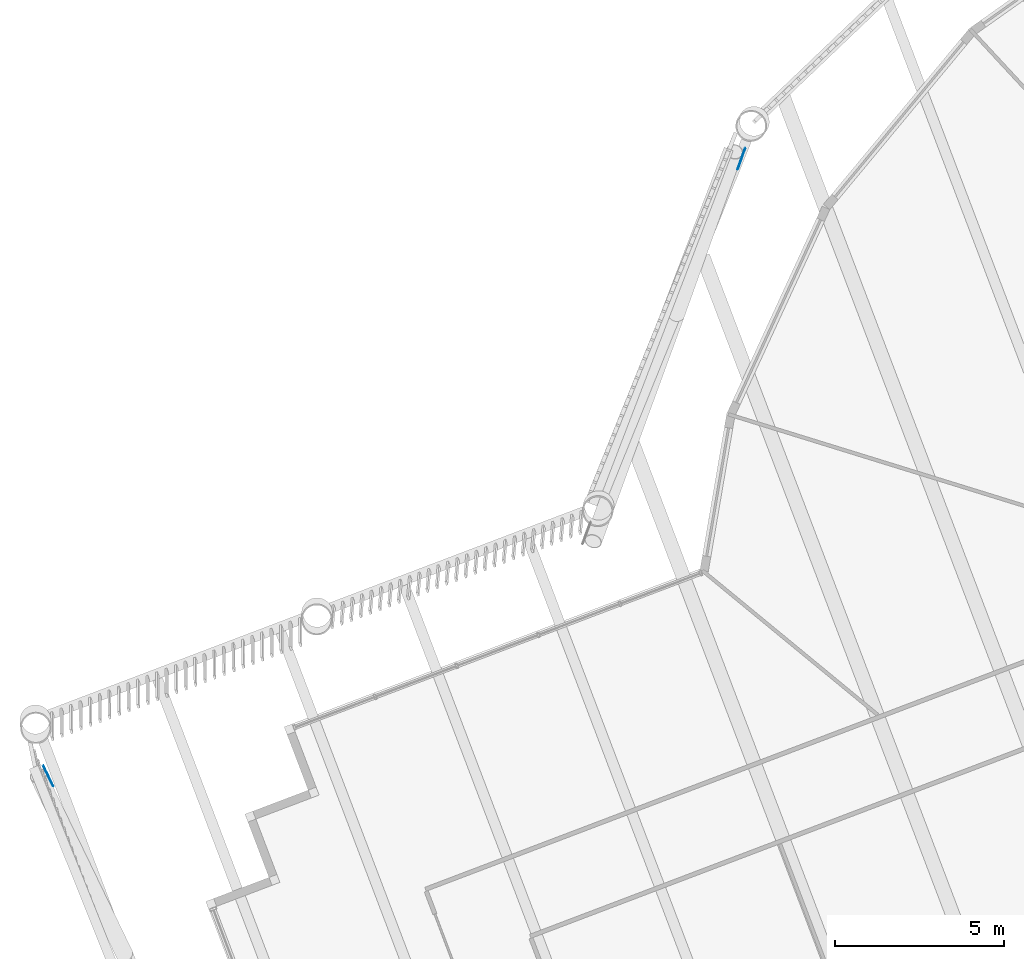
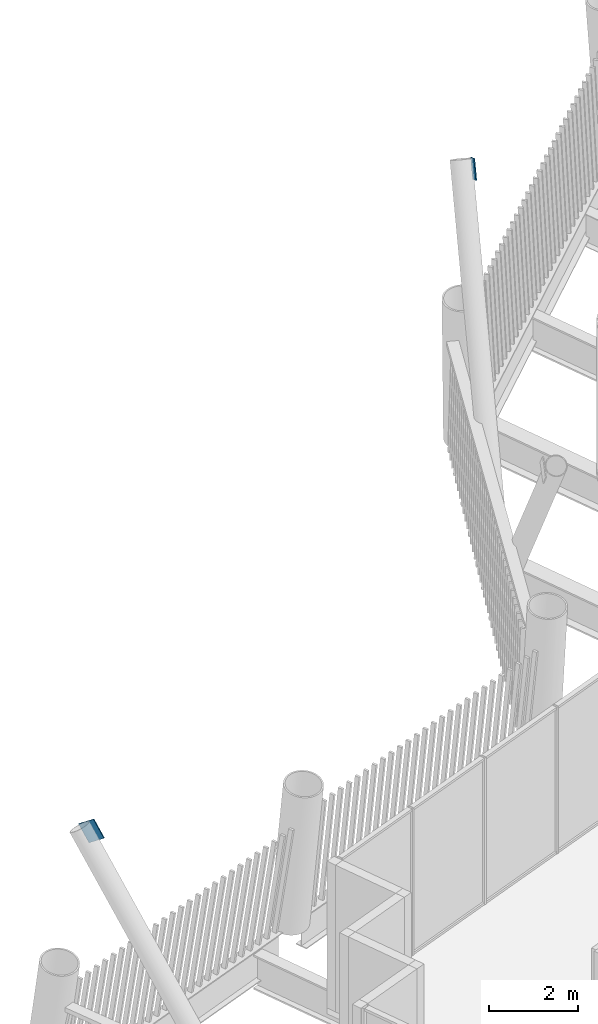
# One storey, part 24 of 33: 2 discrete accessories.
"""IFC4 building model written with IfcOpenShell, lengths in metres."""

import ifcopenshell
import ifcopenshell.guid

model = None  # the IFC model being written
_history = None  # IfcOwnerHistory: only IFC2X3 demands one
_inside = {}  # id of a spatial element -> (the spatial element, [elements in it])
_under = {}  # id of a project, library or spatial element -> (it, [spatial elements below it])
_declared = {}  # id of a project -> (the project, [libraries it declares])
_typed = {}  # id of a type object -> (the type object, [elements of that type])
_made_of = {}  # id of a material, layer set ... -> (it, [elements and type objects made of it])


def new_model(schema):
    """Start an empty IFC model of exactly this schema.

    Asked for "IFC4X3", IfcOpenShell would pick the latest addendum, in which some entities
    have other attributes; the version numbers below select the first issue.
    IFC2X3 requires an IfcOwnerHistory on every rooted entity: one is made here for all.
    """
    global model, _history
    if schema == "IFC4X3":
        model = ifcopenshell.file(schema_version=(4, 3, 0, 0))
    else:
        model = ifcopenshell.file(schema=schema)
    _inside.clear()
    _under.clear()
    _declared.clear()
    _typed.clear()
    _made_of.clear()
    _history = None
    if model.schema == "IFC2X3":
        org = make("IfcOrganization", Name="unknown")
        user = make(
            "IfcPersonAndOrganization",
            ThePerson=make("IfcPerson", FamilyName="unknown"),
            TheOrganization=org,
        )
        app = make(
            "IfcApplication",
            ApplicationDeveloper=org,
            Version="unknown",
            ApplicationFullName="unknown",
            ApplicationIdentifier="unknown",
        )
        _history = make(
            "IfcOwnerHistory",
            OwningUser=user,
            OwningApplication=app,
            ChangeAction="ADDED",
            CreationDate=0,
        )
    return model


def make(cls, **values):
    """One entity of the class cls with the attributes given. An attribute that is None is left unset."""
    return model.create_entity(
        cls, **{name: value for name, value in values.items() if value is not None}
    )


def rooted(cls, **values):
    """An entity with a GlobalId (a new one), such as an element, a storey or a relation."""
    return make(cls, GlobalId=ifcopenshell.guid.new(), OwnerHistory=_history, **values)


def si_unit(unit_type, name, prefix=None):
    """IfcSIUnit, for example si_unit("LENGTHUNIT", "METRE", prefix="MILLI")."""
    return make("IfcSIUnit", UnitType=unit_type, Prefix=prefix, Name=name)


def assignment(units):
    """IfcUnitAssignment: the units of a project."""
    return None if units is None else make("IfcUnitAssignment", Units=units)


def point(xyz):
    """IfcCartesianPoint."""
    return None if xyz is None else make("IfcCartesianPoint", Coordinates=xyz)


def direction(xyz):
    """IfcDirection."""
    return None if xyz is None else make("IfcDirection", DirectionRatios=xyz)


def frame(location, z_axis=None, x_axis=None):
    """IfcAxis2Placement3D, a coordinate frame: its origin and axes. An axis left out is left unset."""
    return make(
        "IfcAxis2Placement3D",
        Location=point(location),
        Axis=direction(z_axis),
        RefDirection=direction(x_axis),
    )


def frame_2d(location, x_axis=None):
    """IfcAxis2Placement2D, a coordinate frame in the plane: its origin and x axis."""
    return make(
        "IfcAxis2Placement2D", Location=point(location), RefDirection=direction(x_axis)
    )


def origin():
    """The frame at (0, 0, 0) with its axes left unset."""
    return frame((0.0, 0.0, 0.0))


def origin_2d():
    """The frame at (0, 0) in the plane with its x axis left unset."""
    return frame_2d((0.0, 0.0))


def place(relative_to, where):
    """IfcLocalPlacement: puts the frame where relative to a parent placement (None: the world)."""
    return make(
        "IfcLocalPlacement", PlacementRelTo=relative_to, RelativePlacement=where
    )


def context(
    kind, dimensions, precision=None, world=None, true_north=None, identifier=None
):
    """IfcGeometricRepresentationContext, for example the 3D "Model" context."""
    return make(
        "IfcGeometricRepresentationContext",
        ContextIdentifier=identifier,
        ContextType=kind,
        CoordinateSpaceDimension=dimensions,
        Precision=precision,
        WorldCoordinateSystem=world,
        TrueNorth=true_north,
    )


def subcontext(parent, identifier, kind, view, scale=None):
    """IfcGeometricRepresentationSubContext, for example "Body" below "Model"."""
    return make(
        "IfcGeometricRepresentationSubContext",
        ContextIdentifier=identifier,
        ContextType=kind,
        ParentContext=parent,
        TargetScale=scale,
        TargetView=view,
    )


def project(units=None, contexts=None):
    """IfcProject with its units and contexts."""
    return rooted(
        "IfcProject",
        Name="project",
        RepresentationContexts=contexts,
        UnitsInContext=assignment(units),
    )


def spatial(cls, under=None, at=None, **own):
    """A site, building, storey or space (cls), placed at a placement, below another one or the project."""
    s = rooted(cls, ObjectPlacement=at, **own)
    if under is not None:
        _under.setdefault(under.id(), (under, []))[1].append(s)
    return s


def profile(cls, at=None, kind="AREA", **sizes):
    """A parametric profile (cls). Its sizes go by their IFC names, for example OverallWidth=200.0."""
    return make(cls, ProfileType=kind, Position=at, **sizes)


def rectangle(**sizes):
    """IfcRectangleProfileDef."""
    return profile("IfcRectangleProfileDef", **sizes)


def extrude(swept, where, along, depth):
    """IfcExtrudedAreaSolid: the profile swept, set in the frame where, extruded along a direction by depth."""
    return make(
        "IfcExtrudedAreaSolid",
        SweptArea=swept,
        Position=where,
        ExtrudedDirection=direction(along),
        Depth=depth,
    )


def shape(context_of_items, identifier, shape_type, items):
    """IfcShapeRepresentation: the items that make up one representation, for example the "Body"."""
    return make(
        "IfcShapeRepresentation",
        ContextOfItems=context_of_items,
        RepresentationIdentifier=identifier,
        RepresentationType=shape_type,
        Items=items,
    )


def material(Name=None, Category=None):
    """IfcMaterial."""
    return make("IfcMaterial", Name=Name, Category=Category)


def material_profile(
    of_material, cross_section, Name=None, Category=None, Priority=None
):
    """IfcMaterialProfile: a cross section and its material."""
    return make(
        "IfcMaterialProfile",
        Name=Name,
        Material=of_material,
        Profile=cross_section,
        Priority=Priority,
        Category=Category,
    )


def profile_set(profiles, Name=None, composite=None):
    """IfcMaterialProfileSet."""
    return make(
        "IfcMaterialProfileSet",
        Name=Name,
        MaterialProfiles=profiles,
        CompositeProfile=composite,
    )


def made_of(thing, what):
    """Note that an element or type object is made of a material, layer set ...; save() writes the relation."""
    if what is not None:
        _made_of.setdefault(what.id(), (what, []))[1].append(thing)
    return thing


def type_object(cls, material=None, **own):
    """A type object (cls), such as IfcWallType, which elements share."""
    return made_of(rooted(cls, **own), material)


def element(
    cls,
    number,
    at=None,
    inside=None,
    cuts=None,
    type_object=None,
    material=None,
    context=None,
    identifier="Body",
    shape_type=None,
    held_by="IfcProductDefinitionShape",
    body=None,
    shapes=None,
    **own,
):
    """One element of the class cls, such as IfcWall. Its Tag is "e" and its number.

    at: its placement. inside: the storey or other place that contains it. cuts: it is an
    opening in that element (IfcRelVoidsElement). A single representation is given by context,
    identifier, shape_type and body (its items); several are given by shapes. held_by: the class
    of the entity that holds the representations. save() writes the other relations.
    """
    e = rooted(cls, Tag="e%d" % number, ObjectPlacement=at, **own)
    if body is not None:
        shapes = [shape(context, identifier, shape_type, body)]
    if shapes is not None:
        e.Representation = make(held_by, Representations=shapes)
    if inside is not None:
        _inside.setdefault(inside.id(), (inside, []))[1].append(e)
    if cuts is not None:
        rooted(
            "IfcRelVoidsElement", RelatingBuildingElement=cuts, RelatedOpeningElement=e
        )
    if type_object is not None:
        _typed.setdefault(type_object.id(), (type_object, []))[1].append(e)
    return made_of(e, material)


def aggregate(whole, parts):
    """IfcRelAggregates: a whole, such as a stair, and the parts it consists of."""
    return rooted("IfcRelAggregates", RelatingObject=whole, RelatedObjects=parts)


def save(model, path):
    """Write the relations noted so far, then the file.

    IfcRelAggregates (storeys below a building ...), IfcRelContainedInSpatialStructure (elements
    in a storey), IfcRelDefinesByType, IfcRelAssociatesMaterial and IfcRelDeclares: one each for
    every whole, place, type object, material and project.
    """
    for whole, parts in _under.values():
        aggregate(whole, parts)
    for where, things in _inside.values():
        rooted(
            "IfcRelContainedInSpatialStructure",
            RelatedElements=things,
            RelatingStructure=where,
        )
    for kind, things in _typed.values():
        rooted("IfcRelDefinesByType", RelatedObjects=things, RelatingType=kind)
    for what, things in _made_of.values():
        rooted("IfcRelAssociatesMaterial", RelatedObjects=things, RelatingMaterial=what)
    for by, libraries in _declared.values():
        rooted("IfcRelDeclares", RelatingContext=by, RelatedDefinitions=libraries)
    model.write(path)


model = new_model("IFC4")

# Units and contexts
model_context = context("Model", 3, precision=1e-05, world=origin(), true_north=direction((0.0, 1.0)))
body_context = subcontext(model_context, "Body", "Model", "MODEL_VIEW")
ifc_project = project(units=[si_unit("LENGTHUNIT", "METRE"), si_unit("AREAUNIT", "SQUARE_METRE"), si_unit("VOLUMEUNIT", "CUBIC_METRE"), si_unit("PLANEANGLEUNIT", "RADIAN"), si_unit("MASSUNIT", "GRAM", prefix="KILO")], contexts=[model_context])

# Site, building, storey
site_placement = place(None, origin())
site = spatial("IfcSite", under=ifc_project, at=site_placement, CompositionType="ELEMENT")
building_placement = place(site_placement, origin())
building = spatial("IfcBuilding", under=site, at=building_placement, Name="Tarsis Ring Headquarters", CompositionType="ELEMENT")
storey_placement = place(building_placement, frame((0.0, 0.0, 369.199951171875)))
storey = spatial("IfcBuildingStorey", under=building, at=storey_placement, Name="L87", CompositionType="ELEMENT", Elevation=369.199951171875)

# Discrete accessories
ifc_material = material(Name="Structural steel S355", Category="steel")
ifc_material_profile = material_profile(ifc_material, rectangle(XDim=0.02490234375, YDim=0.5, at=origin_2d()), Name="PL 25x500")
ifc_profile_set = profile_set([ifc_material_profile], Name="Structural steel S355")
discrete_accessory_type = type_object("IfcDiscreteAccessoryType", Name="Gusset plate Exo brace 25", PredefinedType="BRACKET", material=ifc_profile_set)
discrete_accessory_1_placement = place(storey_placement, frame((-24.358642578125, 15.34326171875, 8.400146484375), z_axis=(-0.175207752109, -0.488043877742, -0.855052873804), x_axis=(0.941186996309, -0.337886131675, 0.0)))
element("IfcDiscreteAccessory", 1, at=discrete_accessory_1_placement, inside=storey, type_object=discrete_accessory_type, Name="Gusset plate GP5", PredefinedType="BRACKET", context=body_context, shape_type="SweptSolid", body=[
    extrude(rectangle(XDim=0.02490234375, YDim=0.5, at=origin_2d()), origin(), (0.0, 0.0, 1.0), 0.500244140625),
])
discrete_accessory_2_placement = place(storey_placement, frame((-44.94677734375, -2.88916015625, 8.400146484375), z_axis=(0.248529171671, -0.515124314563, -0.820292747362), x_axis=(0.900655339198, 0.434534187348, 0.0)))
element("IfcDiscreteAccessory", 2, at=discrete_accessory_2_placement, inside=storey, type_object=discrete_accessory_type, Name="Gusset plate GP5", PredefinedType="BRACKET", context=body_context, shape_type="SweptSolid", body=[
    extrude(rectangle(XDim=0.02490234375, YDim=0.5, at=origin_2d()), origin(), (0.0, 0.0, 1.0), 0.5),
])

save(model, "model.ifc")
